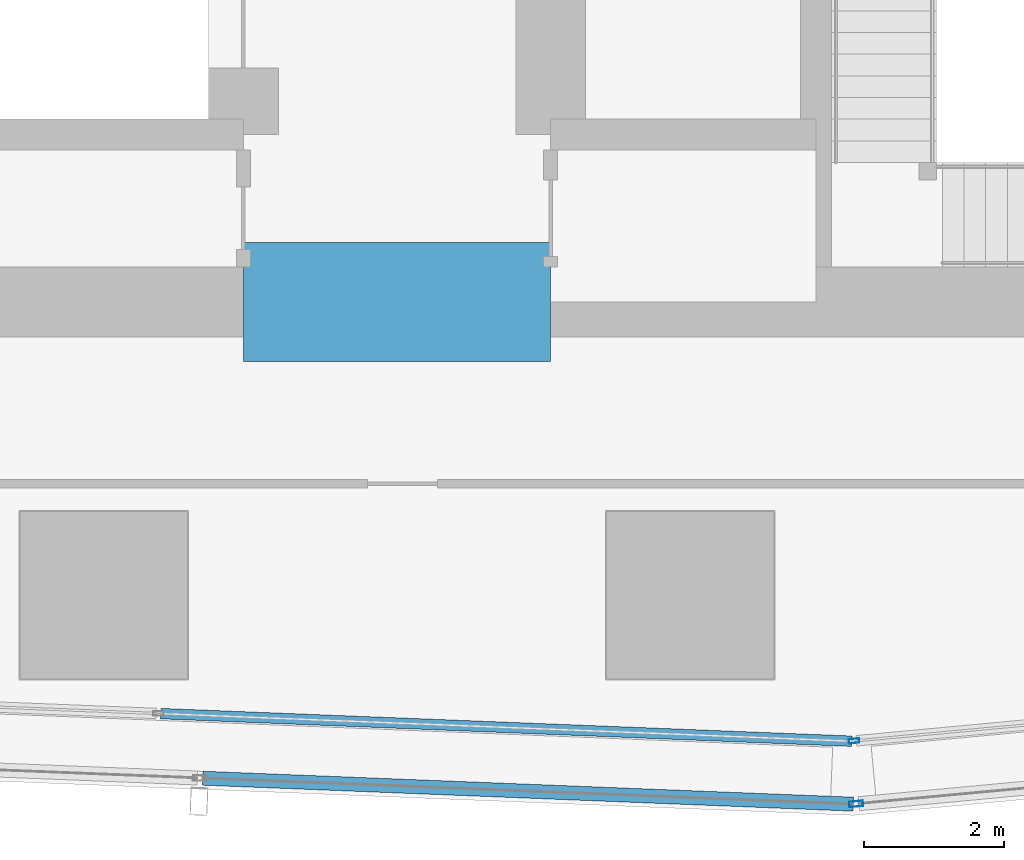
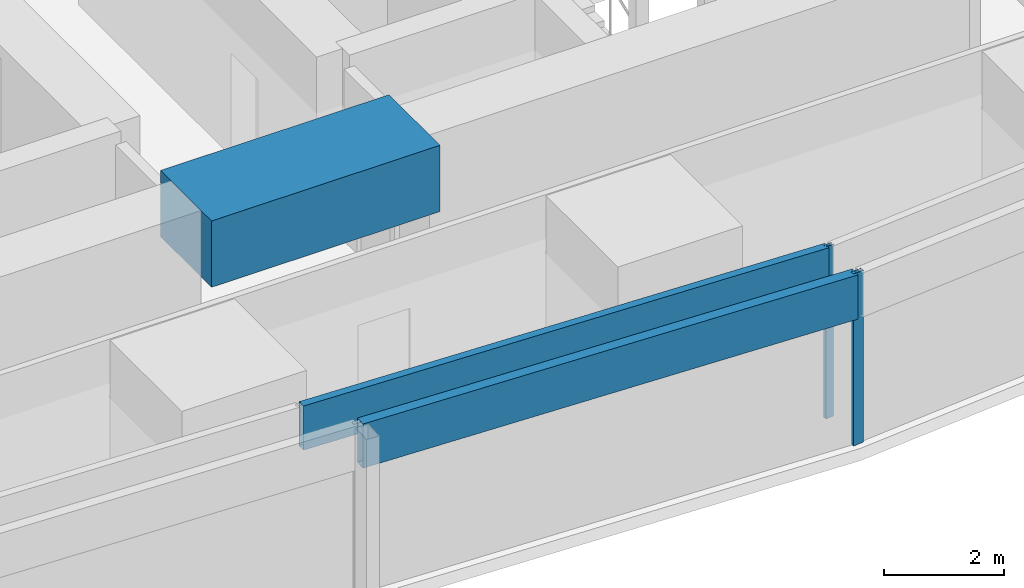
# One storey, part 8 of 37: 4 members, 1 beam, 4 elements without a shape of their own.
"""IFC4 building model written with IfcOpenShell, lengths in metres."""

from ifc_helpers import new_model, si_unit, direction, frame, origin, origin_2d, place, context, subcontext, project, spatial, rectangle, hollow_rectangle, extrude, material, material_profile, profile_set, type_object, element, aggregate, save


model = new_model("IFC4")

# Units and contexts
model_context = context("Model", 3, precision=1e-05, world=origin(), true_north=direction((0.0, 1.0)))
body_context = subcontext(model_context, "Body", "Model", "MODEL_VIEW")
ifc_project = project(units=[si_unit("LENGTHUNIT", "METRE"), si_unit("AREAUNIT", "SQUARE_METRE"), si_unit("VOLUMEUNIT", "CUBIC_METRE"), si_unit("PLANEANGLEUNIT", "RADIAN"), si_unit("MASSUNIT", "GRAM", prefix="KILO")], contexts=[model_context])

# Site, building, storey
site_placement = place(None, origin())
site = spatial("IfcSite", under=ifc_project, at=site_placement, CompositionType="ELEMENT")
building_placement = place(site_placement, origin())
building = spatial("IfcBuilding", under=site, at=building_placement, Name="Rekha Terrace Tower", CompositionType="ELEMENT")
storey_placement = place(building_placement, frame((0.0, 0.0, 232.699951171875)))
storey = spatial("IfcBuildingStorey", under=building, at=storey_placement, Name="L59", CompositionType="ELEMENT", Elevation=232.699951171875)

# Curtain wall, member
ifc_material_1 = material(Name="Aluminium framing", Category="aluminium")
curtain_wall_type_1 = type_object("IfcCurtainWallType", Name="CW1 double skin inner glazing", PredefinedType="USERDEFINED", material=ifc_material_1)
curtain_wall_1_placement = place(storey_placement, origin())
curtain_wall_1 = element("IfcCurtainWall", 1, at=curtain_wall_1_placement, inside=storey, type_object=curtain_wall_type_1, Name="CW1 double skin inner glazing", ObjectType="DOUBLE SKIN INNER GLAZING", PredefinedType="USERDEFINED")
ifc_material_2 = material(Name="Aluminium mullion section", Category="aluminium")
ifc_material_profile_1 = material_profile(ifc_material_2, hollow_rectangle(XDim=0.06494140625, YDim=0.14990234375, WallThickness=0.00390625, at=origin_2d()), Name="AL RHS 65x150")
ifc_profile_set_1 = profile_set([ifc_material_profile_1], Name="Aluminium mullion section")
member_type_1 = type_object("IfcMemberType", Name="CW1 mullion RHS 65 x 150", PredefinedType="MULLION", material=ifc_profile_set_1)
member_1_placement = place(storey_placement, frame((44.34423828125, 14.715087890625, 0.0), z_axis=(0.0, 0.0, 1.0), x_axis=(-0.092708869546, 0.995693258744, 0.0)))
member_1 = element("IfcMember", 2, at=member_1_placement, type_object=member_type_1, Name="CW1 mullion 1", PredefinedType="MULLION", context=body_context, shape_type="SweptSolid", body=[
    extrude(hollow_rectangle(XDim=0.06494140625, YDim=0.14990234375, WallThickness=0.00390625, at=origin_2d()), origin(), (0.0, 0.0, 1.0), 3.5),
])
aggregate(curtain_wall_1, [member_1])

curtain_wall_2_placement = place(storey_placement, origin())
curtain_wall_2 = element("IfcCurtainWall", 3, at=curtain_wall_2_placement, inside=storey, type_object=curtain_wall_type_1, Name="CW1 double skin inner glazing", ObjectType="DOUBLE SKIN INNER GLAZING", PredefinedType="USERDEFINED")
ifc_material_3 = material(Name="Insulated aluminium spandrel box", Category="aluminium")
ifc_material_profile_2 = material_profile(ifc_material_3, hollow_rectangle(XDim=0.14990234375, YDim=0.89990234375, WallThickness=0.0029296875, at=origin_2d()), Name="AL SPANDREL BOX 150x900")
ifc_profile_set_2 = profile_set([ifc_material_profile_2], Name="Insulated aluminium spandrel box")
member_type_2 = type_object("IfcMemberType", Name="CW1 spandrel transom 150 x 900", PredefinedType="USERDEFINED", material=ifc_profile_set_2)
member_2_placement = place(storey_placement, frame((34.416748046875, 15.10693359375, 3.050048828125), z_axis=(0.999204106217, -0.039889273226, 0.0), x_axis=(0.039889273226, 0.999204106217, 0.0)))
member_2 = element("IfcMember", 4, at=member_2_placement, type_object=member_type_2, Name="CW1 spandrel transom 2", ObjectType="TRANSOM", PredefinedType="USERDEFINED", context=body_context, shape_type="SweptSolid", body=[
    extrude(hollow_rectangle(XDim=0.14990234375, YDim=0.89990234375, WallThickness=0.0029296875, at=origin_2d()), origin(), (0.0, 0.0, 1.0), 9.90283203125),
])
aggregate(curtain_wall_2, [member_2])

curtain_wall_type_2 = type_object("IfcCurtainWallType", Name="CW2 double skin outer glazing", PredefinedType="USERDEFINED", material=ifc_material_1)
curtain_wall_3_placement = place(storey_placement, origin())
curtain_wall_3 = element("IfcCurtainWall", 5, at=curtain_wall_3_placement, inside=storey, type_object=curtain_wall_type_2, Name="CW2 double skin outer glazing", ObjectType="DOUBLE SKIN OUTER GLAZING", PredefinedType="USERDEFINED")
ifc_material_profile_3 = material_profile(ifc_material_2, hollow_rectangle(XDim=0.080078125, YDim=0.199951171875, WallThickness=0.00390625, at=origin_2d()), Name="AL RHS 80x200")
ifc_profile_set_3 = profile_set([ifc_material_profile_3], Name="Aluminium mullion section")
member_type_3 = type_object("IfcMemberType", Name="CW2 mullion RHS 80 x 200", PredefinedType="MULLION", material=ifc_profile_set_3)
member_3_placement = place(storey_placement, frame((44.37548828125, 13.81396484375, 0.0), z_axis=(0.0, 0.0, 1.0), x_axis=(-0.092708869512, 0.995693258747, 0.0)))
member_3 = element("IfcMember", 6, at=member_3_placement, type_object=member_type_3, Name="CW2 mullion 1", PredefinedType="MULLION", context=body_context, shape_type="SweptSolid", body=[
    extrude(hollow_rectangle(XDim=0.080078125, YDim=0.199951171875, WallThickness=0.00390625, at=origin_2d()), origin(), (0.0, 0.0, 1.0), 3.5),
])
aggregate(curtain_wall_3, [member_3])

curtain_wall_4_placement = place(storey_placement, origin())
curtain_wall_4 = element("IfcCurtainWall", 7, at=curtain_wall_4_placement, inside=storey, type_object=curtain_wall_type_2, Name="CW2 double skin outer glazing", ObjectType="DOUBLE SKIN OUTER GLAZING", PredefinedType="USERDEFINED")
ifc_material_profile_4 = material_profile(ifc_material_3, hollow_rectangle(XDim=0.199951171875, YDim=0.89990234375, WallThickness=0.0029296875, at=origin_2d()), Name="AL SPANDREL BOX 200x900")
ifc_profile_set_4 = profile_set([ifc_material_profile_4], Name="Insulated aluminium spandrel box")
member_type_4 = type_object("IfcMemberType", Name="CW2 spandrel transom 200 x 900", PredefinedType="USERDEFINED", material=ifc_profile_set_4)
member_4_placement = place(storey_placement, frame((35.01708984375, 14.18212890625, 3.050048828125), z_axis=(0.999204884837, -0.039869764458, 0.0), x_axis=(0.039869764458, 0.999204884837, 0.0)))
member_4 = element("IfcMember", 8, at=member_4_placement, type_object=member_type_4, Name="CW2 spandrel transom 4", ObjectType="TRANSOM", PredefinedType="USERDEFINED", context=body_context, shape_type="SweptSolid", body=[
    extrude(hollow_rectangle(XDim=0.199951171875, YDim=0.89990234375, WallThickness=0.0029296875, at=origin_2d()), origin(), (0.0, 0.0, 1.0), 9.325927734375),
])
aggregate(curtain_wall_4, [member_4])

# Beam
ifc_material_4 = material(Name="Concrete M60", Category="concrete")
ifc_material_profile_5 = material_profile(ifc_material_4, rectangle(XDim=1.699951171875, YDim=1.35009765625, at=origin_2d()), Name="RC 1700x1350")
ifc_profile_set_5 = profile_set([ifc_material_profile_5], Name="Concrete M60")
beam_type = type_object("IfcBeamType", Name="LB3A 1700x1350 diagonally reinforced coupling beam", PredefinedType="LINTEL", material=ifc_profile_set_5)
beam_placement = place(storey_placement, frame((35.60009765625, 21.0, 3.074951171875), z_axis=(1.0, 0.0, 0.0), x_axis=(0.0, 1.0, 0.0)))
element("IfcBeam", 9, at=beam_placement, inside=storey, type_object=beam_type, Name="Coupling beam LB3A S L59", PredefinedType="LINTEL", context=body_context, shape_type="SweptSolid", body=[
    extrude(rectangle(XDim=1.699951171875, YDim=1.35009765625, at=origin_2d()), origin(), (0.0, 0.0, 1.0), 4.39990234375),
])

save(model, "model.ifc")
